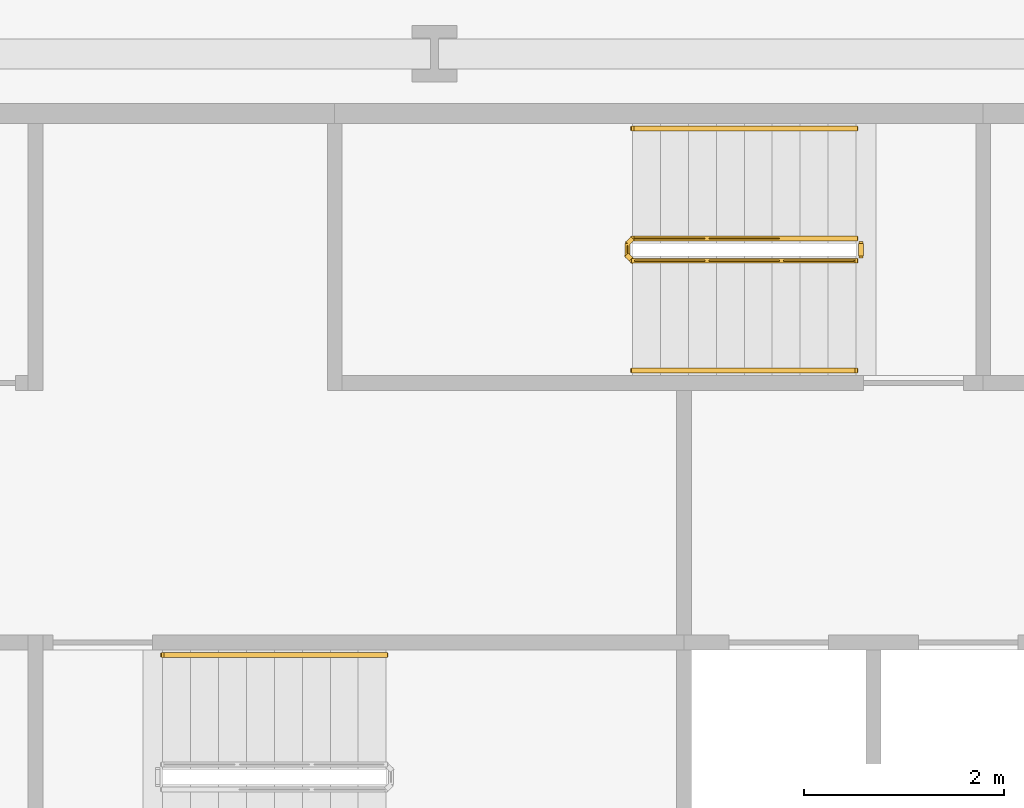
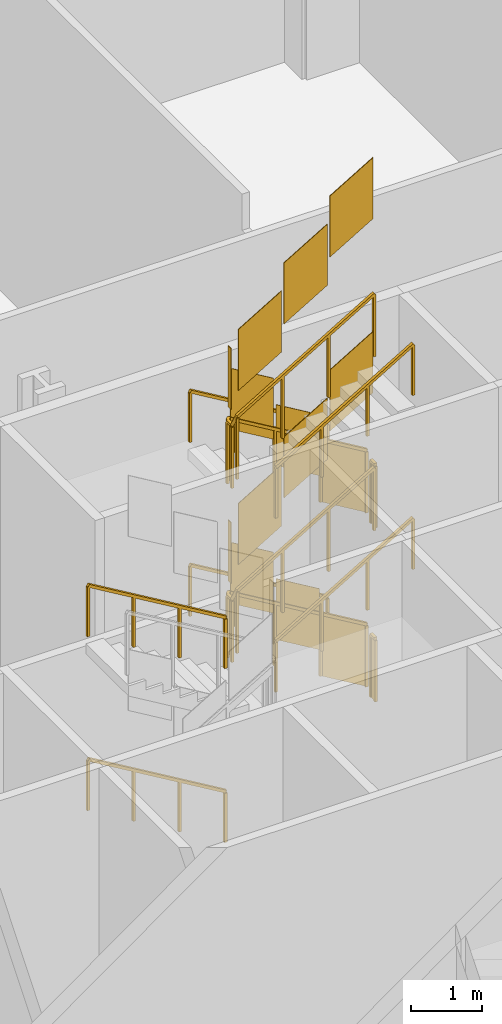
# One storey, part 28 of 31: 10 railings.
"""IFC4 building model written with IfcOpenShell, lengths in metres."""

from ifc_helpers import new_model, si_unit, direction, frame, origin, origin_2d, place, context, subcontext, project, spatial, polyline, rectangle, outline, extrude, material, type_object, element, save


model = new_model("IFC4")

# Units and contexts
model_context = context("Model", 3, precision=1e-05, world=origin(), true_north=direction((0.0, 1.0)))
body_context = subcontext(model_context, "Body", "Model", "MODEL_VIEW")
ifc_project = project(units=[si_unit("LENGTHUNIT", "METRE"), si_unit("AREAUNIT", "SQUARE_METRE"), si_unit("VOLUMEUNIT", "CUBIC_METRE"), si_unit("PLANEANGLEUNIT", "RADIAN"), si_unit("MASSUNIT", "GRAM", prefix="KILO")], contexts=[model_context])

# Site, building, storey
site_placement = place(None, origin())
site = spatial("IfcSite", under=ifc_project, at=site_placement, CompositionType="ELEMENT")
building_placement = place(site_placement, origin())
building = spatial("IfcBuilding", under=site, at=building_placement, Name="Cairn Pilgrim Tower", CompositionType="ELEMENT")
storey_placement = place(building_placement, frame((0.0, 0.0, 15.0)))
storey = spatial("IfcBuildingStorey", under=building, at=storey_placement, Name="L02", CompositionType="ELEMENT", Elevation=15.0)

# Railings
ifc_material = material(Name="Painted steel", Category="steel")
railing_type_1 = type_object("IfcRailingType", Name="STAIR GUARD 1100", PredefinedType="GUARDRAIL", material=ifc_material)
railing_1_placement = place(storey_placement, frame((11.425048828125, 8.949951171875, 0.166748046875)))
element("IfcRailing", 1, at=railing_1_placement, inside=storey, type_object=railing_type_1, Name="L02 ST-C stair guard 1", PredefinedType="GUARDRAIL", context=body_context, shape_type="SweptSolid", body=[
    extrude(rectangle(XDim=0.048095703125, YDim=0.048095703125, at=origin_2d()), frame((0.0, 0.0, 1.076171875), z_axis=(-0.859305625298, 0.0, 0.511462454469), x_axis=(0.0, -1.0, 0.0)), (0.0, 0.0, 1.0), 2.606689453125),
    extrude(rectangle(XDim=0.048095703125, YDim=0.048095703125, at=origin_2d()), frame((-2.239990234375, 0.0, 2.4091796875), z_axis=(-0.707106781187, -0.707106781187, 0.0), x_axis=(0.707106781187, -0.707106781187, 0.0)), (0.0, 0.0, 1.0), 0.07080078125),
    extrude(rectangle(XDim=0.048095703125, YDim=0.048095703125, at=origin_2d()), frame((-2.2900390625, -0.050048828125, 2.4091796875), z_axis=(0.0, -1.0, 0.0), x_axis=(1.0, 0.0, 0.0)), (0.0, 0.0, 1.0), 0.125),
    extrude(rectangle(XDim=0.048095703125, YDim=0.048095703125, at=origin_2d()), frame((-2.2900390625, -0.175048828125, 2.4091796875), z_axis=(0.276389281352, -0.275041040955, 0.920848191041), x_axis=(0.705375805398, 0.708833529934, 0.0)), (0.0, 0.0, 1.0), 0.18115234375),
    extrude(rectangle(XDim=0.048095703125, YDim=0.048095703125, at=origin_2d()), frame((-2.239990234375, -0.224853515625, 2.576171875), z_axis=(0.859305625298, 0.0, 0.511462454469), x_axis=(0.0, 1.0, 0.0)), (0.0, 0.0, 1.0), 2.606689453125),
    extrude(rectangle(XDim=0.0419921875, YDim=0.0419921875, at=origin_2d()), origin(), (0.0, 0.0, 1.0), 1.052001953125),
    extrude(rectangle(XDim=0.0419921875, YDim=0.0419921875, at=origin_2d()), frame((-0.74658203125, 0.0, 0.4443359375)), (0.0, 0.0, 1.0), 1.052001953125),
    extrude(rectangle(XDim=0.0419921875, YDim=0.0419921875, at=origin_2d()), frame((-1.493408203125, 0.0, 0.888916015625)), (0.0, 0.0, 1.0), 1.052001953125),
    extrude(rectangle(XDim=0.0419921875, YDim=0.0419921875, at=origin_2d()), frame((-2.239990234375, 0.0, 1.333251953125)), (0.0, 0.0, 1.0), 1.052001953125),
    extrude(rectangle(XDim=0.0419921875, YDim=0.0419921875, at=origin_2d()), frame((-2.2900390625, -0.050048828125, 1.333251953125)), (0.0, 0.0, 1.0), 1.052001953125),
    extrude(rectangle(XDim=0.0419921875, YDim=0.0419921875, at=origin_2d()), frame((-2.2900390625, -0.175048828125, 1.333251953125)), (0.0, 0.0, 1.0), 1.052001953125),
    extrude(rectangle(XDim=0.0419921875, YDim=0.0419921875, at=origin_2d()), frame((-2.239990234375, -0.224853515625, 1.5)), (0.0, 0.0, 1.0), 1.052001953125),
    extrude(rectangle(XDim=0.0419921875, YDim=0.0419921875, at=origin_2d()), frame((-1.493408203125, -0.224853515625, 1.9443359375)), (0.0, 0.0, 1.0), 1.052001953125),
    extrude(rectangle(XDim=0.0419921875, YDim=0.0419921875, at=origin_2d()), frame((-0.74658203125, -0.224853515625, 2.388916015625)), (0.0, 0.0, 1.0), 1.052001953125),
    extrude(rectangle(XDim=0.0419921875, YDim=0.0419921875, at=origin_2d()), frame((0.0, -0.224853515625, 2.833251953125)), (0.0, 0.0, 1.0), 1.052001953125),
    extrude(outline(polyline([(0.02099609375, 0.012451171875), (0.7255859375, 0.431884765625), (0.7255859375, 1.48388671875), (0.02099609375, 1.064453125), (0.02099609375, 0.012451171875)])), frame((0.0, -0.005859375, 0.0), z_axis=(0.0, 1.0, 0.0), x_axis=(-1.0, 0.0, 0.0)), (0.0, 0.0, 1.0), 0.011962890625),
    extrude(outline(polyline([(0.02099609375, 0.45703125), (0.7255859375, 0.876220703125), (0.7255859375, 1.92822265625), (0.02099609375, 1.509033203125), (0.02099609375, 0.45703125)])), frame((-0.74658203125, -0.005859375, 0.4443359375), z_axis=(0.0, 1.0, 0.0), x_axis=(-1.0, 0.0, 0.0)), (0.0, 0.0, 1.0), 0.011962890625),
    extrude(outline(polyline([(0.02099609375, 0.9013671875), (0.7255859375, 1.32080078125), (0.7255859375, 2.372802734375), (0.02099609375, 1.953369140625), (0.02099609375, 0.9013671875)])), frame((-1.493408203125, -0.005859375, 0.888916015625), z_axis=(0.0, 1.0, 0.0), x_axis=(-1.0, 0.0, 0.0)), (0.0, 0.0, 1.0), 0.011962890625),
    extrude(outline(polyline([(0.02099609375, 1.333251953125), (0.10400390625, 1.333251953125), (0.10400390625, 2.38525390625), (0.02099609375, 2.38525390625), (0.02099609375, 1.333251953125)])), frame((-2.2841796875, -0.050048828125, 1.333251953125), z_axis=(-1.0, 0.0, 0.0), x_axis=(0.0, -1.0, 0.0)), (0.0, 0.0, 1.0), 0.011962890625),
    extrude(outline(polyline([(0.02099609375, 1.512451171875), (0.7255859375, 1.931884765625), (0.7255859375, 2.98388671875), (0.02099609375, 2.564453125), (0.02099609375, 1.512451171875)])), frame((-2.239990234375, -0.21875, 1.5), z_axis=(0.0, -1.0, 0.0), x_axis=(1.0, 0.0, 0.0)), (0.0, 0.0, 1.0), 0.011962890625),
    extrude(outline(polyline([(0.02099609375, 1.95703125), (0.7255859375, 2.376220703125), (0.7255859375, 3.42822265625), (0.02099609375, 3.009033203125), (0.02099609375, 1.95703125)])), frame((-1.493408203125, -0.21875, 1.9443359375), z_axis=(0.0, -1.0, 0.0), x_axis=(1.0, 0.0, 0.0)), (0.0, 0.0, 1.0), 0.011962890625),
    extrude(outline(polyline([(0.02099609375, 2.4013671875), (0.7255859375, 2.82080078125), (0.7255859375, 3.872802734375), (0.02099609375, 3.453369140625), (0.02099609375, 2.4013671875)])), frame((-0.74658203125, -0.21875, 2.388916015625), z_axis=(0.0, -1.0, 0.0), x_axis=(1.0, 0.0, 0.0)), (0.0, 0.0, 1.0), 0.011962890625),
])
railing_2_placement = place(storey_placement, frame((11.47509765625, 8.89990234375, 3.0)))
element("IfcRailing", 2, at=railing_2_placement, inside=storey, type_object=railing_type_1, Name="L02 ST-C stair guard 2", PredefinedType="GUARDRAIL", context=body_context, shape_type="SweptSolid", body=[
    extrude(rectangle(XDim=0.048095703125, YDim=0.048095703125, at=origin_2d()), frame((0.0, 0.0, 1.076171875), z_axis=(0.0, -1.0, 0.0), x_axis=(1.0, 0.0, 0.0)), (0.0, 0.0, 1.0), 0.125),
    extrude(rectangle(XDim=0.0419921875, YDim=0.0419921875, at=origin_2d()), origin(), (0.0, 0.0, 1.0), 1.052001953125),
    extrude(rectangle(XDim=0.0419921875, YDim=0.0419921875, at=origin_2d()), frame((0.0, -0.125, 0.0)), (0.0, 0.0, 1.0), 1.052001953125),
    extrude(outline(polyline([(0.02099609375, 0.0), (0.10400390625, 0.0), (0.10400390625, 1.052001953125), (0.02099609375, 1.052001953125), (0.02099609375, 0.0)])), frame((0.005859375, 0.0, 0.0), z_axis=(-1.0, 0.0, 0.0), x_axis=(0.0, -1.0, 0.0)), (0.0, 0.0, 1.0), 0.011962890625),
])
railing_3_placement = place(storey_placement, frame((11.425048828125, 8.949951171875, 3.166748046875)))
element("IfcRailing", 3, at=railing_3_placement, inside=storey, type_object=railing_type_1, Name="L02 ST-C stair guard 3", PredefinedType="GUARDRAIL", context=body_context, shape_type="SweptSolid", body=[
    extrude(rectangle(XDim=0.048095703125, YDim=0.048095703125, at=origin_2d()), frame((0.0, 0.0, 1.076171875), z_axis=(-0.859305625298, 0.0, 0.511462454469), x_axis=(0.0, -1.0, 0.0)), (0.0, 0.0, 1.0), 2.606689453125),
    extrude(rectangle(XDim=0.048095703125, YDim=0.048095703125, at=origin_2d()), frame((-2.239990234375, 0.0, 2.4091796875), z_axis=(-0.707106781187, -0.707106781187, 0.0), x_axis=(0.707106781187, -0.707106781187, 0.0)), (0.0, 0.0, 1.0), 0.07080078125),
    extrude(rectangle(XDim=0.048095703125, YDim=0.048095703125, at=origin_2d()), frame((-2.2900390625, -0.050048828125, 2.4091796875), z_axis=(0.0, -1.0, 0.0), x_axis=(1.0, 0.0, 0.0)), (0.0, 0.0, 1.0), 0.125),
    extrude(rectangle(XDim=0.048095703125, YDim=0.048095703125, at=origin_2d()), frame((-2.2900390625, -0.175048828125, 2.4091796875), z_axis=(0.276389281352, -0.275041040955, 0.920848191041), x_axis=(0.705375805398, 0.708833529934, 0.0)), (0.0, 0.0, 1.0), 0.18115234375),
    extrude(rectangle(XDim=0.048095703125, YDim=0.048095703125, at=origin_2d()), frame((-2.239990234375, -0.224853515625, 2.576171875), z_axis=(0.859305625298, 0.0, 0.511462454469), x_axis=(0.0, 1.0, 0.0)), (0.0, 0.0, 1.0), 2.606689453125),
    extrude(rectangle(XDim=0.0419921875, YDim=0.0419921875, at=origin_2d()), origin(), (0.0, 0.0, 1.0), 1.052001953125),
    extrude(rectangle(XDim=0.0419921875, YDim=0.0419921875, at=origin_2d()), frame((-0.74658203125, 0.0, 0.4443359375)), (0.0, 0.0, 1.0), 1.052001953125),
    extrude(rectangle(XDim=0.0419921875, YDim=0.0419921875, at=origin_2d()), frame((-1.493408203125, 0.0, 0.888916015625)), (0.0, 0.0, 1.0), 1.052001953125),
    extrude(rectangle(XDim=0.0419921875, YDim=0.0419921875, at=origin_2d()), frame((-2.239990234375, 0.0, 1.333251953125)), (0.0, 0.0, 1.0), 1.052001953125),
    extrude(rectangle(XDim=0.0419921875, YDim=0.0419921875, at=origin_2d()), frame((-2.2900390625, -0.050048828125, 1.333251953125)), (0.0, 0.0, 1.0), 1.052001953125),
    extrude(rectangle(XDim=0.0419921875, YDim=0.0419921875, at=origin_2d()), frame((-2.2900390625, -0.175048828125, 1.333251953125)), (0.0, 0.0, 1.0), 1.052001953125),
    extrude(rectangle(XDim=0.0419921875, YDim=0.0419921875, at=origin_2d()), frame((-2.239990234375, -0.224853515625, 1.5)), (0.0, 0.0, 1.0), 1.052001953125),
    extrude(rectangle(XDim=0.0419921875, YDim=0.0419921875, at=origin_2d()), frame((-1.493408203125, -0.224853515625, 1.9443359375)), (0.0, 0.0, 1.0), 1.052001953125),
    extrude(rectangle(XDim=0.0419921875, YDim=0.0419921875, at=origin_2d()), frame((-0.74658203125, -0.224853515625, 2.388916015625)), (0.0, 0.0, 1.0), 1.052001953125),
    extrude(rectangle(XDim=0.0419921875, YDim=0.0419921875, at=origin_2d()), frame((0.0, -0.224853515625, 2.833251953125)), (0.0, 0.0, 1.0), 1.052001953125),
    extrude(outline(polyline([(0.02099609375, 0.012451171875), (0.7255859375, 0.431884765625), (0.7255859375, 1.48388671875), (0.02099609375, 1.064453125), (0.02099609375, 0.012451171875)])), frame((0.0, -0.005859375, 0.0), z_axis=(0.0, 1.0, 0.0), x_axis=(-1.0, 0.0, 0.0)), (0.0, 0.0, 1.0), 0.011962890625),
    extrude(outline(polyline([(0.02099609375, 0.45703125), (0.7255859375, 0.876220703125), (0.7255859375, 1.92822265625), (0.02099609375, 1.509033203125), (0.02099609375, 0.45703125)])), frame((-0.74658203125, -0.005859375, 0.4443359375), z_axis=(0.0, 1.0, 0.0), x_axis=(-1.0, 0.0, 0.0)), (0.0, 0.0, 1.0), 0.011962890625),
    extrude(outline(polyline([(0.02099609375, 0.9013671875), (0.7255859375, 1.32080078125), (0.7255859375, 2.372802734375), (0.02099609375, 1.953369140625), (0.02099609375, 0.9013671875)])), frame((-1.493408203125, -0.005859375, 0.888916015625), z_axis=(0.0, 1.0, 0.0), x_axis=(-1.0, 0.0, 0.0)), (0.0, 0.0, 1.0), 0.011962890625),
    extrude(outline(polyline([(0.02099609375, 1.333251953125), (0.10400390625, 1.333251953125), (0.10400390625, 2.38525390625), (0.02099609375, 2.38525390625), (0.02099609375, 1.333251953125)])), frame((-2.2841796875, -0.050048828125, 1.333251953125), z_axis=(-1.0, 0.0, 0.0), x_axis=(0.0, -1.0, 0.0)), (0.0, 0.0, 1.0), 0.011962890625),
    extrude(outline(polyline([(0.02099609375, 1.512451171875), (0.7255859375, 1.931884765625), (0.7255859375, 2.98388671875), (0.02099609375, 2.564453125), (0.02099609375, 1.512451171875)])), frame((-2.239990234375, -0.21875, 1.5), z_axis=(0.0, -1.0, 0.0), x_axis=(1.0, 0.0, 0.0)), (0.0, 0.0, 1.0), 0.011962890625),
    extrude(outline(polyline([(0.02099609375, 1.95703125), (0.7255859375, 2.376220703125), (0.7255859375, 3.42822265625), (0.02099609375, 3.009033203125), (0.02099609375, 1.95703125)])), frame((-1.493408203125, -0.21875, 1.9443359375), z_axis=(0.0, -1.0, 0.0), x_axis=(1.0, 0.0, 0.0)), (0.0, 0.0, 1.0), 0.011962890625),
    extrude(outline(polyline([(0.02099609375, 2.4013671875), (0.7255859375, 2.82080078125), (0.7255859375, 3.872802734375), (0.02099609375, 3.453369140625), (0.02099609375, 2.4013671875)])), frame((-0.74658203125, -0.21875, 2.388916015625), z_axis=(0.0, -1.0, 0.0), x_axis=(1.0, 0.0, 0.0)), (0.0, 0.0, 1.0), 0.011962890625),
])
railing_4_placement = place(storey_placement, frame((11.47509765625, 8.89990234375, 0.0)))
element("IfcRailing", 4, at=railing_4_placement, inside=storey, type_object=railing_type_1, Name="L02 ST-C stair guard 4", PredefinedType="GUARDRAIL", context=body_context, shape_type="SweptSolid", body=[
    extrude(rectangle(XDim=0.048095703125, YDim=0.048095703125, at=origin_2d()), frame((0.0, 0.0, 1.076171875), z_axis=(0.0, -1.0, 0.0), x_axis=(1.0, 0.0, 0.0)), (0.0, 0.0, 1.0), 0.125),
    extrude(rectangle(XDim=0.0419921875, YDim=0.0419921875, at=origin_2d()), origin(), (0.0, 0.0, 1.0), 1.052001953125),
    extrude(rectangle(XDim=0.0419921875, YDim=0.0419921875, at=origin_2d()), frame((0.0, -0.125, 0.0)), (0.0, 0.0, 1.0), 1.052001953125),
    extrude(outline(polyline([(0.02099609375, 0.0), (0.10400390625, 0.0), (0.10400390625, 1.052001953125), (0.02099609375, 1.052001953125), (0.02099609375, 0.0)])), frame((0.005859375, 0.0, 0.0), z_axis=(-1.0, 0.0, 0.0), x_axis=(0.0, -1.0, 0.0)), (0.0, 0.0, 1.0), 0.011962890625),
])
railing_type_2 = type_object("IfcRailingType", Name="STAIR HANDRAIL 900", PredefinedType="HANDRAIL", material=ifc_material)
for number, where, name in (
    (5, (6.715087890625, 4.77490234375, 1.666748046875), "L02 ST-B stair handrail 2"),
    (6, (6.715087890625, 4.77490234375, 4.666748046875), "L02 ST-B stair handrail 4"),
    (7, (11.425048828125, 10.050048828125, 0.166748046875), "L02 ST-C stair handrail 1"),
):
    element("IfcRailing", number, at=place(storey_placement, frame(where)), inside=storey, type_object=railing_type_2, Name=name, PredefinedType="HANDRAIL", context=body_context, shape_type="SweptSolid", body=[
        extrude(rectangle(XDim=0.048095703125, YDim=0.048095703125, at=origin_2d()), frame((0.0, 0.0, 0.8759765625), z_axis=(-0.859305625298, 0.0, 0.511462454469), x_axis=(0.0, -1.0, 0.0)), (0.0, 0.0, 1.0), 2.606689453125),
        extrude(rectangle(XDim=0.0419921875, YDim=0.0419921875, at=origin_2d()), origin(), (0.0, 0.0, 1.0), 0.851806640625),
        extrude(rectangle(XDim=0.0419921875, YDim=0.0419921875, at=origin_2d()), frame((-0.74658203125, 0.0, 0.4443359375)), (0.0, 0.0, 1.0), 0.851806640625),
        extrude(rectangle(XDim=0.0419921875, YDim=0.0419921875, at=origin_2d()), frame((-1.493408203125, 0.0, 0.888916015625)), (0.0, 0.0, 1.0), 0.851806640625),
        extrude(rectangle(XDim=0.0419921875, YDim=0.0419921875, at=origin_2d()), frame((-2.239990234375, 0.0, 1.333251953125)), (0.0, 0.0, 1.0), 0.851806640625),
    ])
railing_5_placement = place(storey_placement, frame((9.18505859375, 7.625, 1.666748046875)))
element("IfcRailing", 8, at=railing_5_placement, inside=storey, type_object=railing_type_2, Name="L02 ST-C stair handrail 2", PredefinedType="HANDRAIL", context=body_context, shape_type="SweptSolid", body=[
    extrude(rectangle(XDim=0.048095703125, YDim=0.048095703125, at=origin_2d()), frame((0.0, 0.0, 0.8759765625), z_axis=(0.859305625298, 0.0, 0.511462454469), x_axis=(0.0, 1.0, 0.0)), (0.0, 0.0, 1.0), 2.606689453125),
    extrude(rectangle(XDim=0.0419921875, YDim=0.0419921875, at=origin_2d()), origin(), (0.0, 0.0, 1.0), 0.851806640625),
    extrude(rectangle(XDim=0.0419921875, YDim=0.0419921875, at=origin_2d()), frame((0.74658203125, 0.0, 0.4443359375)), (0.0, 0.0, 1.0), 0.851806640625),
    extrude(rectangle(XDim=0.0419921875, YDim=0.0419921875, at=origin_2d()), frame((1.493408203125, 0.0, 0.888916015625)), (0.0, 0.0, 1.0), 0.851806640625),
    extrude(rectangle(XDim=0.0419921875, YDim=0.0419921875, at=origin_2d()), frame((2.239990234375, 0.0, 1.333251953125)), (0.0, 0.0, 1.0), 0.851806640625),
])
railing_6_placement = place(storey_placement, frame((11.425048828125, 10.050048828125, 3.166748046875)))
element("IfcRailing", 9, at=railing_6_placement, inside=storey, type_object=railing_type_2, Name="L02 ST-C stair handrail 3", PredefinedType="HANDRAIL", context=body_context, shape_type="SweptSolid", body=[
    extrude(rectangle(XDim=0.048095703125, YDim=0.048095703125, at=origin_2d()), frame((0.0, 0.0, 0.8759765625), z_axis=(-0.859305625298, 0.0, 0.511462454469), x_axis=(0.0, -1.0, 0.0)), (0.0, 0.0, 1.0), 2.606689453125),
    extrude(rectangle(XDim=0.0419921875, YDim=0.0419921875, at=origin_2d()), origin(), (0.0, 0.0, 1.0), 0.851806640625),
    extrude(rectangle(XDim=0.0419921875, YDim=0.0419921875, at=origin_2d()), frame((-0.74658203125, 0.0, 0.4443359375)), (0.0, 0.0, 1.0), 0.851806640625),
    extrude(rectangle(XDim=0.0419921875, YDim=0.0419921875, at=origin_2d()), frame((-1.493408203125, 0.0, 0.888916015625)), (0.0, 0.0, 1.0), 0.851806640625),
    extrude(rectangle(XDim=0.0419921875, YDim=0.0419921875, at=origin_2d()), frame((-2.239990234375, 0.0, 1.333251953125)), (0.0, 0.0, 1.0), 0.851806640625),
])
railing_7_placement = place(storey_placement, frame((9.18505859375, 7.625, 4.666748046875)))
element("IfcRailing", 10, at=railing_7_placement, inside=storey, type_object=railing_type_2, Name="L02 ST-C stair handrail 4", PredefinedType="HANDRAIL", context=body_context, shape_type="SweptSolid", body=[
    extrude(rectangle(XDim=0.048095703125, YDim=0.048095703125, at=origin_2d()), frame((0.0, 0.0, 0.8759765625), z_axis=(0.859305625298, 0.0, 0.511462454469), x_axis=(0.0, 1.0, 0.0)), (0.0, 0.0, 1.0), 2.606689453125),
    extrude(rectangle(XDim=0.0419921875, YDim=0.0419921875, at=origin_2d()), origin(), (0.0, 0.0, 1.0), 0.851806640625),
    extrude(rectangle(XDim=0.0419921875, YDim=0.0419921875, at=origin_2d()), frame((0.74658203125, 0.0, 0.4443359375)), (0.0, 0.0, 1.0), 0.851806640625),
    extrude(rectangle(XDim=0.0419921875, YDim=0.0419921875, at=origin_2d()), frame((1.493408203125, 0.0, 0.888916015625)), (0.0, 0.0, 1.0), 0.851806640625),
    extrude(rectangle(XDim=0.0419921875, YDim=0.0419921875, at=origin_2d()), frame((2.239990234375, 0.0, 1.333251953125)), (0.0, 0.0, 1.0), 0.851806640625),
])

save(model, "model.ifc")
